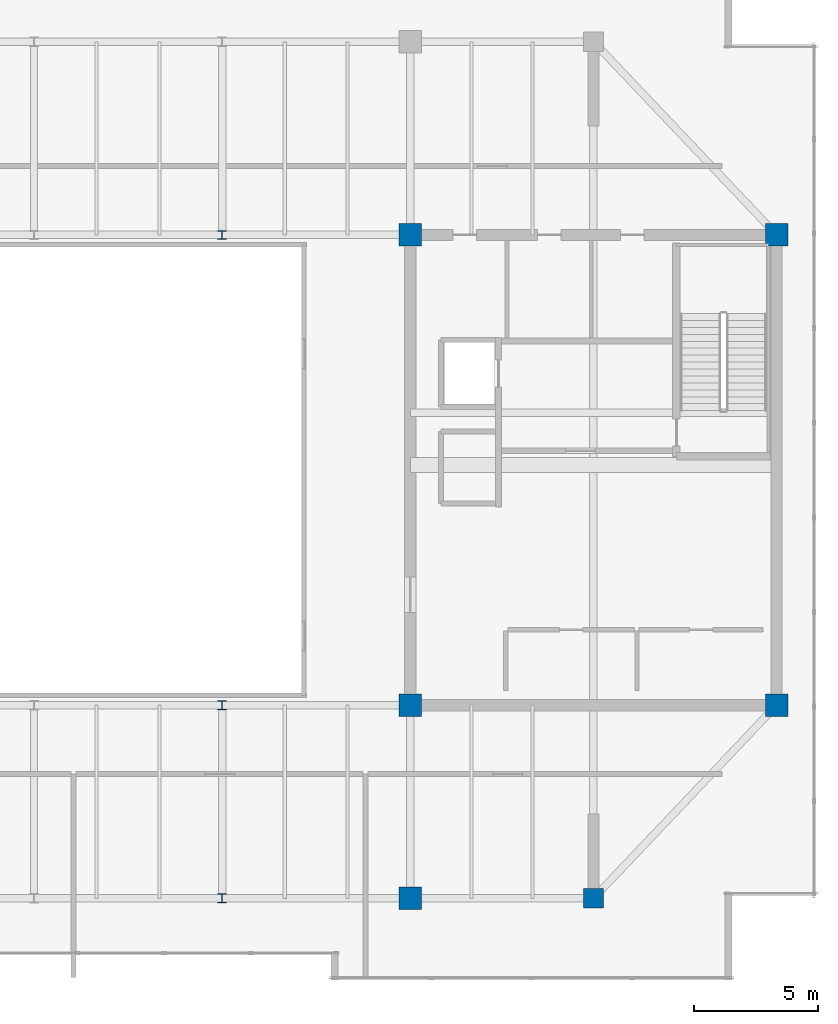
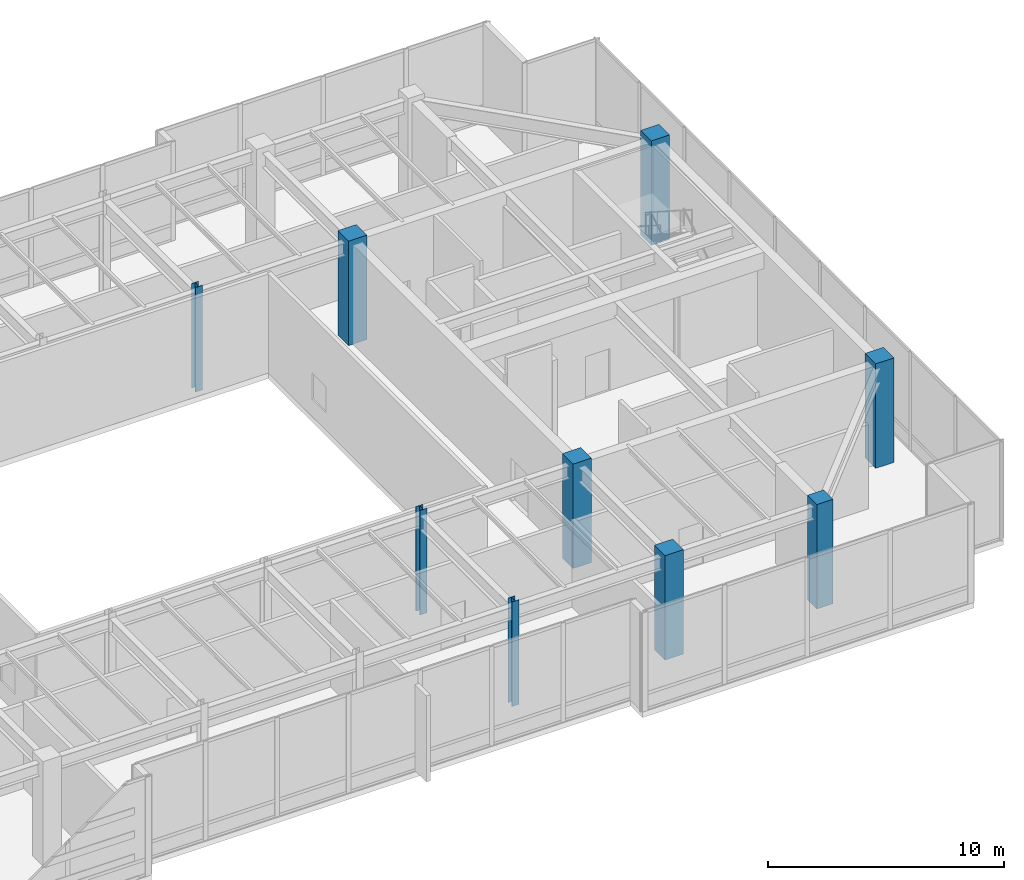
# One storey, part 2 of 30: 9 columns.
"""IFC4 building model written with IfcOpenShell, lengths in metres."""

from ifc_helpers import new_model, si_unit, direction, frame, origin, origin_2d, place, context, subcontext, project, spatial, rectangle, i_section, extrude, source, transform, mapped, material, material_profile, profile_set, type_object, type_shapes, element, save


model = new_model("IFC4")

# Units and contexts
model_context = context("Model", 3, precision=1e-05, world=origin(), true_north=direction((0.0, 1.0)))
body_context = subcontext(model_context, "Body", "Model", "MODEL_VIEW")
ifc_project = project(units=[si_unit("LENGTHUNIT", "METRE"), si_unit("AREAUNIT", "SQUARE_METRE"), si_unit("VOLUMEUNIT", "CUBIC_METRE"), si_unit("PLANEANGLEUNIT", "RADIAN"), si_unit("MASSUNIT", "GRAM", prefix="KILO")], contexts=[model_context])

# Site, building, storey
site_placement = place(None, origin())
site = spatial("IfcSite", under=ifc_project, at=site_placement, CompositionType="ELEMENT")
building_placement = place(site_placement, origin())
building = spatial("IfcBuilding", under=site, at=building_placement, Name="Haelvirn Gate Laboratories", CompositionType="ELEMENT")
storey_placement = place(building_placement, frame((0.0, 0.0, 332.39990234375)))
storey = spatial("IfcBuildingStorey", under=building, at=storey_placement, Name="L79", CompositionType="ELEMENT", Elevation=332.39990234375)

# Columns
ifc_material_1 = material(Name="Concrete C50/60", Category="concrete")
ifc_material_profile_1 = material_profile(ifc_material_1, rectangle(XDim=0.89990234375, YDim=0.89990234375, at=origin_2d()), Name="RC-900x900")
ifc_profile_set_1 = profile_set([ifc_material_profile_1], Name="Concrete C50/60")
column_type_1 = type_object("IfcColumnType", Name="COL-RC-900", PredefinedType="COLUMN", material=ifc_profile_set_1)
shared_shape_1 = source(origin(), body_context, "Body", "SweptSolid", [
    extrude(rectangle(XDim=0.89990234375, YDim=0.89990234375, at=origin_2d()), origin(), (0.0, 0.0, 1.0), 5.400146484375),
])
type_shapes(column_type_1, [shared_shape_1])
for number, where, z_axis, x_axis, name in (
    (1, (52.60009765625, 7.0, 0.0), (0.0, 0.0, 1.0), (1.0, 0.0, 0.0), "L79 Column 8B"),
    (2, (52.60009765625, 14.800048828125, 0.0), (0.0, 0.0, 1.0), (1.0, 0.0, 0.0), "L79 Column 8C"),
    (3, (67.39990234375, 14.800048828125, 0.0), (0.0, 0.0, 1.0), (1.0, 0.0, 0.0), "L79 Column 10C"),
    (4, (52.60009765625, 33.800048828125, 0.0), (0.0, 0.0, 1.0), (1.0, 0.0, 0.0), "L79 Column 8F"),
    (5, (67.39990234375, 33.800048828125, 0.0), (0.0, 0.0, 1.0), (1.0, 0.0, 0.0), "L79 Column 10F"),
):
    element("IfcColumn", number, at=place(storey_placement, frame(where, z_axis=z_axis, x_axis=x_axis)), inside=storey, type_object=column_type_1, Name=name, PredefinedType="COLUMN", context=body_context, shape_type="MappedRepresentation", body=[
        mapped(shared_shape_1, transform((0.0, 0.0, 0.0), scale=1.0)),
    ])
ifc_material_profile_2 = material_profile(ifc_material_1, rectangle(XDim=0.800048828125, YDim=0.800048828125, at=origin_2d()), Name="RC-800x800")
ifc_profile_set_2 = profile_set([ifc_material_profile_2], Name="Concrete C50/60")
column_type_2 = type_object("IfcColumnType", Name="COL-RC-800", PredefinedType="COLUMN", material=ifc_profile_set_2)
shared_shape_2 = source(origin(), body_context, "Body", "SweptSolid", [
    extrude(rectangle(XDim=0.800048828125, YDim=0.800048828125, at=origin_2d()), origin(), (0.0, 0.0, 1.0), 5.400146484375),
])
type_shapes(column_type_2, [shared_shape_2])
column_placement = place(storey_placement, frame((60.0, 7.0, 0.0), z_axis=(0.0, 0.0, 1.0), x_axis=(1.0, 0.0, 0.0)))
element("IfcColumn", 6, at=column_placement, inside=storey, type_object=column_type_2, Name="L79 Column 9B", PredefinedType="COLUMN", context=body_context, shape_type="MappedRepresentation", body=[
    mapped(shared_shape_2, transform((0.0, 0.0, 0.0), scale=1.0)),
])
ifc_material_2 = material(Name="Steel SM355", Category="steel")
ifc_material_profile_3 = material_profile(ifc_material_2, i_section(OverallWidth=0.35009765625, OverallDepth=0.35009765625, WebThickness=0.011962890625, FlangeThickness=0.01904296875, at=origin_2d()), Name="H-350x350x12x19")
ifc_profile_set_3 = profile_set([ifc_material_profile_3], Name="Steel SM355")
column_type_3 = type_object("IfcColumnType", Name="COL-H-350", PredefinedType="COLUMN", material=ifc_profile_set_3)
shared_shape_3 = source(origin(), body_context, "Body", "SweptSolid", [
    extrude(i_section(OverallWidth=0.35009765625, OverallDepth=0.35009765625, WebThickness=0.011962890625, FlangeThickness=0.01904296875, at=origin_2d()), origin(), (0.0, 0.0, 1.0), 5.400146484375),
])
type_shapes(column_type_3, [shared_shape_3])
for number, where, z_axis, x_axis, name in (
    (7, (45.0, 7.0, 0.0), (0.0, 0.0, 1.0), (1.0, 0.0, 0.0), "L79 Column 7B"),
    (8, (45.0, 14.800048828125, 0.0), (0.0, 0.0, 1.0), (1.0, 0.0, 0.0), "L79 Column 7C"),
    (9, (45.0, 33.800048828125, 0.0), (0.0, 0.0, 1.0), (1.0, 0.0, 0.0), "L79 Column 7F"),
):
    element("IfcColumn", number, at=place(storey_placement, frame(where, z_axis=z_axis, x_axis=x_axis)), inside=storey, type_object=column_type_3, Name=name, PredefinedType="COLUMN", context=body_context, shape_type="MappedRepresentation", body=[
        mapped(shared_shape_3, transform((0.0, 0.0, 0.0), scale=1.0)),
    ])

save(model, "model.ifc")
